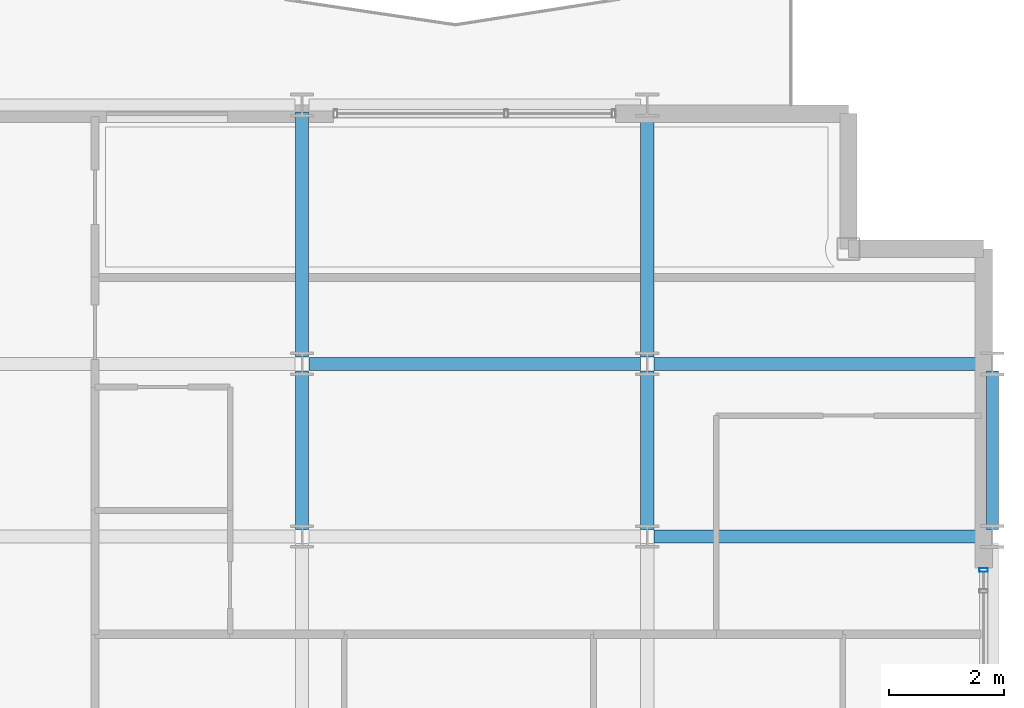
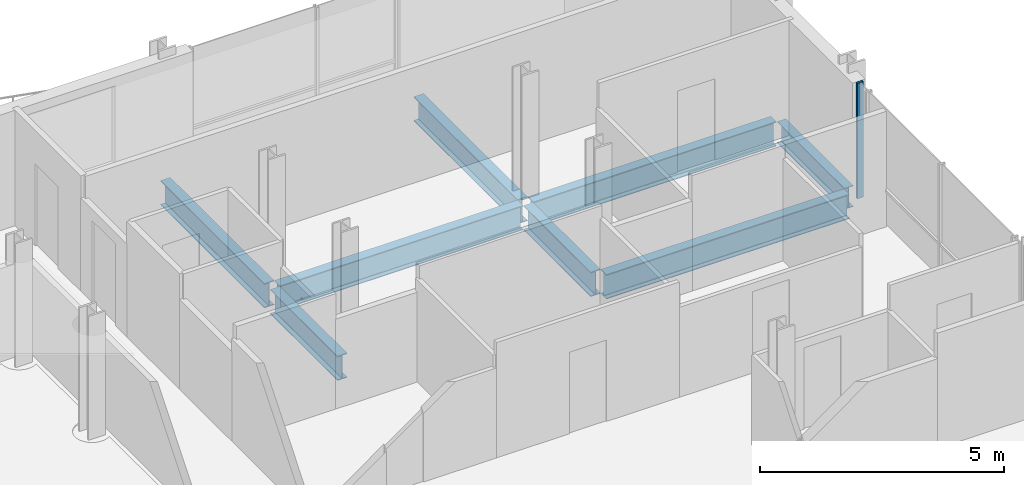
# One storey, part 22 of 41: 8 beams, 1 member, 1 element without a shape of its own.
"""IFC4 building model written with IfcOpenShell, lengths in metres."""

from ifc_helpers import new_model, si_unit, direction, frame, origin, origin_2d, place, context, subcontext, project, spatial, hollow_rectangle, i_section, extrude, material, layer, layer_set, material_profile, profile_set, type_object, element, aggregate, save


model = new_model("IFC4")

# Units and contexts
model_context = context("Model", 3, precision=1e-05, world=origin(), true_north=direction((0.0, 1.0)))
body_context = subcontext(model_context, "Body", "Model", "MODEL_VIEW")
ifc_project = project(units=[si_unit("LENGTHUNIT", "METRE"), si_unit("AREAUNIT", "SQUARE_METRE"), si_unit("VOLUMEUNIT", "CUBIC_METRE"), si_unit("PLANEANGLEUNIT", "RADIAN"), si_unit("MASSUNIT", "GRAM", prefix="KILO")], contexts=[model_context])

# Site, building, storey
site_placement = place(None, origin())
site = spatial("IfcSite", under=ifc_project, at=site_placement, CompositionType="ELEMENT")
building_placement = place(site_placement, origin())
building = spatial("IfcBuilding", under=site, at=building_placement, Name="Brevholm Reach", CompositionType="ELEMENT")
storey_placement = place(building_placement, frame((0.0, 0.0, 169.699951171875)))
storey = spatial("IfcBuildingStorey", under=building, at=storey_placement, Name="L51", CompositionType="ELEMENT", Elevation=169.699951171875)

# Beams
ifc_material_1 = material(Name="Structural Steel S355J2", Category="steel")
ifc_material_profile_1 = material_profile(ifc_material_1, i_section(OverallWidth=0.209228515625, OverallDepth=0.533203125, WebThickness=0.010009765625, FlangeThickness=0.015625, FilletRadius=0.0126953125, at=origin_2d()), Name="UKB 533x210x92")
ifc_profile_set_1 = profile_set([ifc_material_profile_1], Name="Structural Steel S355J2")
beam_type_1 = type_object("IfcBeamType", Name="BM-SP533", PredefinedType="SPANDREL", material=ifc_profile_set_1)
beam_1_placement = place(storey_placement, frame((60.0, 23.6201171875, -0.486572265625), z_axis=(0.0, 1.0, 0.0), x_axis=(-1.0, 0.0, 0.0)))
element("IfcBeam", 1, at=beam_1_placement, inside=storey, type_object=beam_type_1, Name="L51 SP-02 Framing Beam", PredefinedType="SPANDREL", context=body_context, shape_type="SweptSolid", body=[
    extrude(i_section(OverallWidth=0.209228515625, OverallDepth=0.533203125, WebThickness=0.010009765625, FlangeThickness=0.015625, FilletRadius=0.0126953125, at=origin_2d()), origin(), (0.0, 0.0, 1.0), 2.759765625),
])
ifc_material_2 = material(Name="Structural Steel S355J2", Category="steel")
ifc_material_profile_2 = material_profile(ifc_material_2, i_section(OverallWidth=0.22900390625, OverallDepth=0.6123046875, WebThickness=0.011962890625, FlangeThickness=0.01953125, FilletRadius=0.0126953125, at=origin_2d()), Name="UKB 610x229x125")
ifc_profile_set_2 = profile_set([ifc_material_profile_2], Name="Structural Steel S355J2")
beam_type_2 = type_object("IfcBeamType", Name="BM-SP610", PredefinedType="SPANDREL", material=ifc_profile_set_2)
for number, where, z_axis, x_axis, name in (
    (2, (54.1201171875, 23.5, -0.526123046875), (1.0, 0.0, 0.0), (0.0, 1.0, 0.0), "L51 SP-01 Framing Beam"),
    (3, (48.1201171875, 26.5, -0.526123046875), (1.0, 0.0, 0.0), (0.0, 1.0, 0.0), "L51 SP-01 Framing Beam"),
    (4, (54.1201171875, 26.5, -0.526123046875), (1.0, 0.0, 0.0), (0.0, 1.0, 0.0), "L51 SP-01 Framing Beam"),
):
    element("IfcBeam", number, at=place(storey_placement, frame(where, z_axis=z_axis, x_axis=x_axis)), inside=storey, type_object=beam_type_2, Name=name, PredefinedType="SPANDREL", context=body_context, shape_type="SweptSolid", body=[
        extrude(i_section(OverallWidth=0.22900390625, OverallDepth=0.6123046875, WebThickness=0.011962890625, FlangeThickness=0.01953125, FilletRadius=0.0126953125, at=origin_2d()), origin(), (0.0, 0.0, 1.0), 5.759765625),
    ])
beam_2_placement = place(storey_placement, frame((48.0, 23.6201171875, -0.526123046875), z_axis=(0.0, 1.0, 0.0), x_axis=(-1.0, 0.0, 0.0)))
element("IfcBeam", 5, at=beam_2_placement, inside=storey, type_object=beam_type_2, Name="L51 SP-01 Framing Beam", PredefinedType="SPANDREL", context=body_context, shape_type="SweptSolid", body=[
    extrude(i_section(OverallWidth=0.22900390625, OverallDepth=0.6123046875, WebThickness=0.011962890625, FlangeThickness=0.01953125, FilletRadius=0.0126953125, at=origin_2d()), origin(), (0.0, 0.0, 1.0), 2.759765625),
])
beam_3_placement = place(storey_placement, frame((48.0, 26.6201171875, -0.526123046875), z_axis=(0.0, 1.0, 0.0), x_axis=(-1.0, 0.0, 0.0)))
element("IfcBeam", 6, at=beam_3_placement, inside=storey, type_object=beam_type_2, Name="L51 SP-01 Framing Beam", PredefinedType="SPANDREL", context=body_context, shape_type="SweptSolid", body=[
    extrude(i_section(OverallWidth=0.22900390625, OverallDepth=0.6123046875, WebThickness=0.011962890625, FlangeThickness=0.01953125, FilletRadius=0.0126953125, at=origin_2d()), origin(), (0.0, 0.0, 1.0), 4.259765625),
])
beam_4_placement = place(storey_placement, frame((54.0, 23.6201171875, -0.526123046875), z_axis=(0.0, 1.0, 0.0), x_axis=(-1.0, 0.0, 0.0)))
element("IfcBeam", 7, at=beam_4_placement, inside=storey, type_object=beam_type_2, Name="L51 SP-01 Framing Beam", PredefinedType="SPANDREL", context=body_context, shape_type="SweptSolid", body=[
    extrude(i_section(OverallWidth=0.22900390625, OverallDepth=0.6123046875, WebThickness=0.011962890625, FlangeThickness=0.01953125, FilletRadius=0.0126953125, at=origin_2d()), origin(), (0.0, 0.0, 1.0), 2.759765625),
])
beam_5_placement = place(storey_placement, frame((54.0, 26.6201171875, -0.526123046875), z_axis=(0.0, 1.0, 0.0), x_axis=(-1.0, 0.0, 0.0)))
element("IfcBeam", 8, at=beam_5_placement, inside=storey, type_object=beam_type_2, Name="L51 SP-01 Framing Beam", PredefinedType="SPANDREL", context=body_context, shape_type="SweptSolid", body=[
    extrude(i_section(OverallWidth=0.22900390625, OverallDepth=0.6123046875, WebThickness=0.011962890625, FlangeThickness=0.01953125, FilletRadius=0.0126953125, at=origin_2d()), origin(), (0.0, 0.0, 1.0), 4.259765625),
])

# Curtain wall, member
ifc_material_3 = material(Name="Dark Anodised Aluminium 6063-T6 and Solar-Control Glass", Category="aluminium")
ifc_layer = layer(ifc_material_3, 0.14990234375)
ifc_layer_set = layer_set([ifc_layer], Name="Dark Anodised Aluminium 6063-T6 and Solar-Control Glass")
curtain_wall_type = type_object("IfcCurtainWallType", Name="CW-01", PredefinedType="NOTDEFINED", material=ifc_layer_set)
curtain_wall_placement = place(storey_placement, origin())
curtain_wall = element("IfcCurtainWall", 9, at=curtain_wall_placement, inside=storey, type_object=curtain_wall_type, Name="L51 Curtain Wall CW-01", PredefinedType="NOTDEFINED")
ifc_material_4 = material(Name="Dark Anodised Aluminium 6063-T6", Category="aluminium")
ifc_material_profile_3 = material_profile(ifc_material_4, hollow_rectangle(XDim=0.06494140625, YDim=0.14990234375, WallThickness=0.0048828125, InnerFilletRadius=0.0048828125, OuterFilletRadius=0.010009765625, at=origin_2d()), Name="RHS 150x65x5")
ifc_profile_set_3 = profile_set([ifc_material_profile_3], Name="Dark Anodised Aluminium 6063-T6")
member_type = type_object("IfcMemberType", Name="CWM-150", PredefinedType="MULLION", material=ifc_profile_set_3)
member_placement = place(storey_placement, frame((59.85009765625, 22.91748046875, 0.0), z_axis=(0.0, 0.0, 1.0), x_axis=(0.0, 1.0, 0.0)))
member = element("IfcMember", 10, at=member_placement, type_object=member_type, Name="CM-150 Mullion 6", PredefinedType="MULLION", context=body_context, shape_type="SweptSolid", body=[
    extrude(hollow_rectangle(XDim=0.06494140625, YDim=0.14990234375, WallThickness=0.0048828125, InnerFilletRadius=0.0048828125, OuterFilletRadius=0.010009765625, at=origin_2d()), origin(), (0.0, 0.0, 1.0), 2.89013671875),
])
aggregate(curtain_wall, [member])

save(model, "model.ifc")
